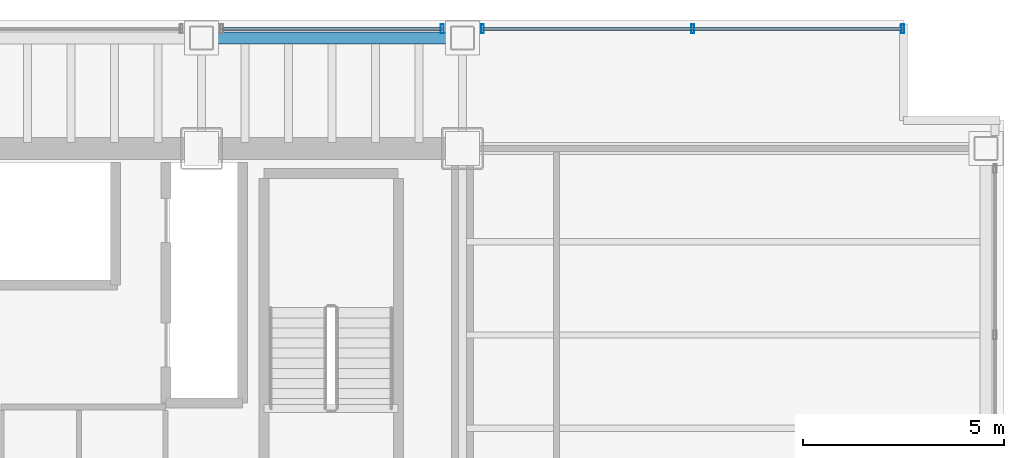
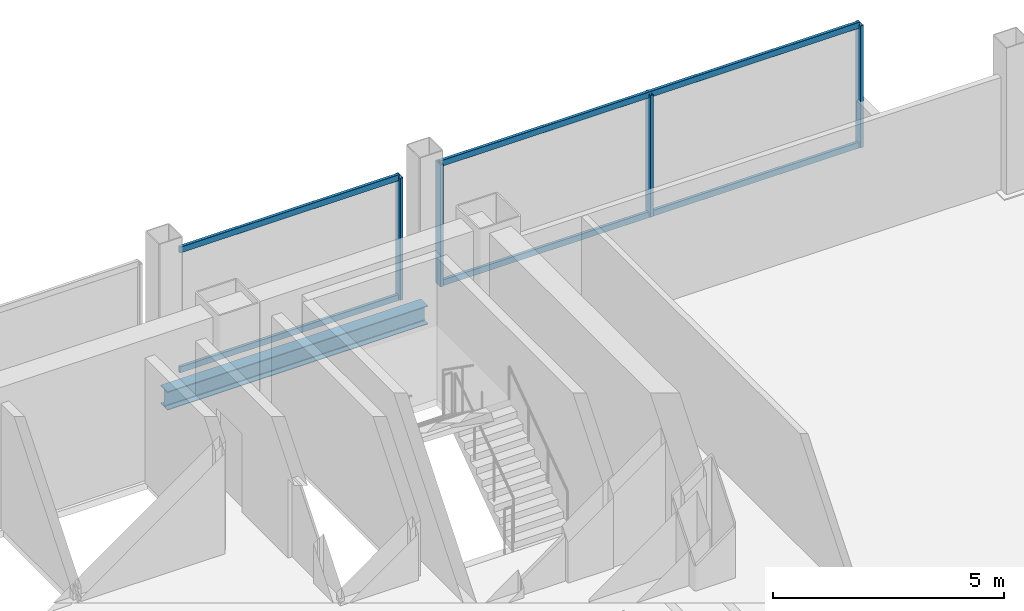
# One storey, part 16 of 22: 8 members, 1 beam, 2 elements without a shape of their own.
"""IFC4 building model written with IfcOpenShell, lengths in metres."""

import ifcopenshell
import ifcopenshell.guid

model = None  # the IFC model being written
_history = None  # IfcOwnerHistory: only IFC2X3 demands one
_inside = {}  # id of a spatial element -> (the spatial element, [elements in it])
_under = {}  # id of a project, library or spatial element -> (it, [spatial elements below it])
_declared = {}  # id of a project -> (the project, [libraries it declares])
_typed = {}  # id of a type object -> (the type object, [elements of that type])
_made_of = {}  # id of a material, layer set ... -> (it, [elements and type objects made of it])


def new_model(schema):
    """Start an empty IFC model of exactly this schema.

    Asked for "IFC4X3", IfcOpenShell would pick the latest addendum, in which some entities
    have other attributes; the version numbers below select the first issue.
    IFC2X3 requires an IfcOwnerHistory on every rooted entity: one is made here for all.
    """
    global model, _history
    if schema == "IFC4X3":
        model = ifcopenshell.file(schema_version=(4, 3, 0, 0))
    else:
        model = ifcopenshell.file(schema=schema)
    _inside.clear()
    _under.clear()
    _declared.clear()
    _typed.clear()
    _made_of.clear()
    _history = None
    if model.schema == "IFC2X3":
        org = make("IfcOrganization", Name="unknown")
        user = make(
            "IfcPersonAndOrganization",
            ThePerson=make("IfcPerson", FamilyName="unknown"),
            TheOrganization=org,
        )
        app = make(
            "IfcApplication",
            ApplicationDeveloper=org,
            Version="unknown",
            ApplicationFullName="unknown",
            ApplicationIdentifier="unknown",
        )
        _history = make(
            "IfcOwnerHistory",
            OwningUser=user,
            OwningApplication=app,
            ChangeAction="ADDED",
            CreationDate=0,
        )
    return model


def make(cls, **values):
    """One entity of the class cls with the attributes given. An attribute that is None is left unset."""
    return model.create_entity(
        cls, **{name: value for name, value in values.items() if value is not None}
    )


def rooted(cls, **values):
    """An entity with a GlobalId (a new one), such as an element, a storey or a relation."""
    return make(cls, GlobalId=ifcopenshell.guid.new(), OwnerHistory=_history, **values)


def si_unit(unit_type, name, prefix=None):
    """IfcSIUnit, for example si_unit("LENGTHUNIT", "METRE", prefix="MILLI")."""
    return make("IfcSIUnit", UnitType=unit_type, Prefix=prefix, Name=name)


def assignment(units):
    """IfcUnitAssignment: the units of a project."""
    return None if units is None else make("IfcUnitAssignment", Units=units)


def point(xyz):
    """IfcCartesianPoint."""
    return None if xyz is None else make("IfcCartesianPoint", Coordinates=xyz)


def direction(xyz):
    """IfcDirection."""
    return None if xyz is None else make("IfcDirection", DirectionRatios=xyz)


def frame(location, z_axis=None, x_axis=None):
    """IfcAxis2Placement3D, a coordinate frame: its origin and axes. An axis left out is left unset."""
    return make(
        "IfcAxis2Placement3D",
        Location=point(location),
        Axis=direction(z_axis),
        RefDirection=direction(x_axis),
    )


def frame_2d(location, x_axis=None):
    """IfcAxis2Placement2D, a coordinate frame in the plane: its origin and x axis."""
    return make(
        "IfcAxis2Placement2D", Location=point(location), RefDirection=direction(x_axis)
    )


def origin():
    """The frame at (0, 0, 0) with its axes left unset."""
    return frame((0.0, 0.0, 0.0))


def origin_2d():
    """The frame at (0, 0) in the plane with its x axis left unset."""
    return frame_2d((0.0, 0.0))


def place(relative_to, where):
    """IfcLocalPlacement: puts the frame where relative to a parent placement (None: the world)."""
    return make(
        "IfcLocalPlacement", PlacementRelTo=relative_to, RelativePlacement=where
    )


def context(
    kind, dimensions, precision=None, world=None, true_north=None, identifier=None
):
    """IfcGeometricRepresentationContext, for example the 3D "Model" context."""
    return make(
        "IfcGeometricRepresentationContext",
        ContextIdentifier=identifier,
        ContextType=kind,
        CoordinateSpaceDimension=dimensions,
        Precision=precision,
        WorldCoordinateSystem=world,
        TrueNorth=true_north,
    )


def subcontext(parent, identifier, kind, view, scale=None):
    """IfcGeometricRepresentationSubContext, for example "Body" below "Model"."""
    return make(
        "IfcGeometricRepresentationSubContext",
        ContextIdentifier=identifier,
        ContextType=kind,
        ParentContext=parent,
        TargetScale=scale,
        TargetView=view,
    )


def project(units=None, contexts=None):
    """IfcProject with its units and contexts."""
    return rooted(
        "IfcProject",
        Name="project",
        RepresentationContexts=contexts,
        UnitsInContext=assignment(units),
    )


def spatial(cls, under=None, at=None, **own):
    """A site, building, storey or space (cls), placed at a placement, below another one or the project."""
    s = rooted(cls, ObjectPlacement=at, **own)
    if under is not None:
        _under.setdefault(under.id(), (under, []))[1].append(s)
    return s


def profile(cls, at=None, kind="AREA", **sizes):
    """A parametric profile (cls). Its sizes go by their IFC names, for example OverallWidth=200.0."""
    return make(cls, ProfileType=kind, Position=at, **sizes)


def hollow_rectangle(**sizes):
    """IfcRectangleHollowProfileDef."""
    return profile("IfcRectangleHollowProfileDef", **sizes)


def i_section(**sizes):
    """IfcIShapeProfileDef."""
    return profile("IfcIShapeProfileDef", **sizes)


def extrude(swept, where, along, depth):
    """IfcExtrudedAreaSolid: the profile swept, set in the frame where, extruded along a direction by depth."""
    return make(
        "IfcExtrudedAreaSolid",
        SweptArea=swept,
        Position=where,
        ExtrudedDirection=direction(along),
        Depth=depth,
    )


def shape(context_of_items, identifier, shape_type, items):
    """IfcShapeRepresentation: the items that make up one representation, for example the "Body"."""
    return make(
        "IfcShapeRepresentation",
        ContextOfItems=context_of_items,
        RepresentationIdentifier=identifier,
        RepresentationType=shape_type,
        Items=items,
    )


def material(Name=None, Category=None):
    """IfcMaterial."""
    return make("IfcMaterial", Name=Name, Category=Category)


def material_profile(
    of_material, cross_section, Name=None, Category=None, Priority=None
):
    """IfcMaterialProfile: a cross section and its material."""
    return make(
        "IfcMaterialProfile",
        Name=Name,
        Material=of_material,
        Profile=cross_section,
        Priority=Priority,
        Category=Category,
    )


def profile_set(profiles, Name=None, composite=None):
    """IfcMaterialProfileSet."""
    return make(
        "IfcMaterialProfileSet",
        Name=Name,
        MaterialProfiles=profiles,
        CompositeProfile=composite,
    )


def made_of(thing, what):
    """Note that an element or type object is made of a material, layer set ...; save() writes the relation."""
    if what is not None:
        _made_of.setdefault(what.id(), (what, []))[1].append(thing)
    return thing


def type_object(cls, material=None, **own):
    """A type object (cls), such as IfcWallType, which elements share."""
    return made_of(rooted(cls, **own), material)


def element(
    cls,
    number,
    at=None,
    inside=None,
    cuts=None,
    type_object=None,
    material=None,
    context=None,
    identifier="Body",
    shape_type=None,
    held_by="IfcProductDefinitionShape",
    body=None,
    shapes=None,
    **own,
):
    """One element of the class cls, such as IfcWall. Its Tag is "e" and its number.

    at: its placement. inside: the storey or other place that contains it. cuts: it is an
    opening in that element (IfcRelVoidsElement). A single representation is given by context,
    identifier, shape_type and body (its items); several are given by shapes. held_by: the class
    of the entity that holds the representations. save() writes the other relations.
    """
    e = rooted(cls, Tag="e%d" % number, ObjectPlacement=at, **own)
    if body is not None:
        shapes = [shape(context, identifier, shape_type, body)]
    if shapes is not None:
        e.Representation = make(held_by, Representations=shapes)
    if inside is not None:
        _inside.setdefault(inside.id(), (inside, []))[1].append(e)
    if cuts is not None:
        rooted(
            "IfcRelVoidsElement", RelatingBuildingElement=cuts, RelatedOpeningElement=e
        )
    if type_object is not None:
        _typed.setdefault(type_object.id(), (type_object, []))[1].append(e)
    return made_of(e, material)


def aggregate(whole, parts):
    """IfcRelAggregates: a whole, such as a stair, and the parts it consists of."""
    return rooted("IfcRelAggregates", RelatingObject=whole, RelatedObjects=parts)


def save(model, path):
    """Write the relations noted so far, then the file.

    IfcRelAggregates (storeys below a building ...), IfcRelContainedInSpatialStructure (elements
    in a storey), IfcRelDefinesByType, IfcRelAssociatesMaterial and IfcRelDeclares: one each for
    every whole, place, type object, material and project.
    """
    for whole, parts in _under.values():
        aggregate(whole, parts)
    for where, things in _inside.values():
        rooted(
            "IfcRelContainedInSpatialStructure",
            RelatedElements=things,
            RelatingStructure=where,
        )
    for kind, things in _typed.values():
        rooted("IfcRelDefinesByType", RelatedObjects=things, RelatingType=kind)
    for what, things in _made_of.values():
        rooted("IfcRelAssociatesMaterial", RelatedObjects=things, RelatingMaterial=what)
    for by, libraries in _declared.values():
        rooted("IfcRelDeclares", RelatingContext=by, RelatedDefinitions=libraries)
    model.write(path)


model = new_model("IFC4")

# Units and contexts
model_context = context("Model", 3, precision=1e-05, world=origin(), true_north=direction((0.0, 1.0)))
body_context = subcontext(model_context, "Body", "Model", "MODEL_VIEW")
ifc_project = project(units=[si_unit("LENGTHUNIT", "METRE"), si_unit("AREAUNIT", "SQUARE_METRE"), si_unit("VOLUMEUNIT", "CUBIC_METRE"), si_unit("PLANEANGLEUNIT", "RADIAN"), si_unit("MASSUNIT", "GRAM", prefix="KILO")], contexts=[model_context])

# Site, building, storey
site_placement = place(None, origin())
site = spatial("IfcSite", under=ifc_project, at=site_placement, CompositionType="ELEMENT")
building_placement = place(site_placement, origin())
building = spatial("IfcBuilding", under=site, at=building_placement, Name="Noeulbin Bourse Tower", CompositionType="ELEMENT")
storey_placement = place(building_placement, frame((0.0, 0.0, 85.0)))
storey = spatial("IfcBuildingStorey", under=building, at=storey_placement, Name="L21", CompositionType="ELEMENT", Elevation=85.0)

# Beam
ifc_material_1 = material(Name="Steel S355", Category="steel")
ifc_material_profile_1 = material_profile(ifc_material_1, i_section(OverallWidth=0.300048828125, OverallDepth=0.488037109375, WebThickness=0.010986328125, FlangeThickness=0.01806640625, FilletRadius=0.02197265625, at=origin_2d()), Name="H-488x300x11x18", Category="LoadBearing")
ifc_profile_set_1 = profile_set([ifc_material_profile_1], Name="Steel S355")
beam_type = type_object("IfcBeamType", Name="BM-SPN-488", PredefinedType="SPANDREL", material=ifc_profile_set_1)
beam_placement = place(storey_placement, frame((37.5, 41.050048828125, -0.424072265625), z_axis=(1.0, 0.0, 0.0), x_axis=(0.0, 1.0, 0.0)))
element("IfcBeam", 1, at=beam_placement, inside=storey, type_object=beam_type, Name="North Spandrel L21-4", PredefinedType="SPANDREL", context=body_context, shape_type="SweptSolid", body=[
    extrude(i_section(OverallWidth=0.300048828125, OverallDepth=0.488037109375, WebThickness=0.010986328125, FlangeThickness=0.01806640625, FilletRadius=0.02197265625, at=origin_2d()), origin(), (0.0, 0.0, 1.0), 6.5),
])

# Curtain wall, member
ifc_material_2 = material(Name="Dark Solar-Control Double Glazing", Category="glass")
curtain_wall_type = type_object("IfcCurtainWallType", Name="CW-SYS-2", PredefinedType="NOTDEFINED", material=ifc_material_2)
curtain_wall_1_placement = place(storey_placement, origin())
curtain_wall_1 = element("IfcCurtainWall", 2, at=curtain_wall_1_placement, inside=storey, type_object=curtain_wall_type, Name="Unitised Curtain Wall CW-L21-N-S5", PredefinedType="NOTDEFINED")
ifc_material_3 = material(Name="Anodised Aluminium 6063-T6", Category="aluminium")
ifc_material_profile_2 = material_profile(ifc_material_3, hollow_rectangle(XDim=0.074951171875, YDim=0.219970703125, WallThickness=0.0048828125, InnerFilletRadius=0.00244140625, OuterFilletRadius=0.0048828125, at=origin_2d()), Name="ALU-MULL-75x220x5", Category="LoadBearing")
ifc_profile_set_2 = profile_set([ifc_material_profile_2], Name="Anodised Aluminium 6063-T6")
member_type_1 = type_object("IfcMemberType", Name="CW-SYS-2-MUL", PredefinedType="MULLION", material=ifc_profile_set_2)
member_1_placement = place(storey_placement, frame((43.5, 41.280029296875, -0.02001953125), z_axis=(0.0, 0.0, 1.0), x_axis=(1.0, 0.0, 0.0)))
member_1 = element("IfcMember", 3, at=member_1_placement, type_object=member_type_1, Name="Curtain Wall Mullion CW-L21-N-S5-M01", PredefinedType="MULLION", context=body_context, shape_type="SweptSolid", body=[
    extrude(hollow_rectangle(XDim=0.074951171875, YDim=0.219970703125, WallThickness=0.0048828125, InnerFilletRadius=0.00244140625, OuterFilletRadius=0.0048828125, at=origin_2d()), origin(), (0.0, 0.0, 1.0), 3.219970703125),
])

# Curtain wall, members
curtain_wall_2_placement = place(storey_placement, origin())
curtain_wall_2 = element("IfcCurtainWall", 4, at=curtain_wall_2_placement, inside=storey, type_object=curtain_wall_type, Name="Unitised Curtain Wall CW-L21-N-S6", PredefinedType="NOTDEFINED")
member_2_placement = place(storey_placement, frame((44.5, 41.280029296875, -0.02001953125), z_axis=(0.0, 0.0, 1.0), x_axis=(1.0, 0.0, 0.0)))
member_2 = element("IfcMember", 5, at=member_2_placement, type_object=member_type_1, Name="Curtain Wall Mullion CW-L21-N-S6-M00", PredefinedType="MULLION", context=body_context, shape_type="SweptSolid", body=[
    extrude(hollow_rectangle(XDim=0.074951171875, YDim=0.219970703125, WallThickness=0.0048828125, InnerFilletRadius=0.00244140625, OuterFilletRadius=0.0048828125, at=origin_2d()), origin(), (0.0, 0.0, 1.0), 3.219970703125),
])
member_3_placement = place(storey_placement, frame((49.739990234375, 41.280029296875, -0.02001953125), z_axis=(0.0, 0.0, 1.0), x_axis=(1.0, 0.0, 0.0)))
member_3 = element("IfcMember", 6, at=member_3_placement, type_object=member_type_1, Name="Curtain Wall Mullion CW-L21-N-S6-M01", PredefinedType="MULLION", context=body_context, shape_type="SweptSolid", body=[
    extrude(hollow_rectangle(XDim=0.074951171875, YDim=0.219970703125, WallThickness=0.0048828125, InnerFilletRadius=0.00244140625, OuterFilletRadius=0.0048828125, at=origin_2d()), origin(), (0.0, 0.0, 1.0), 3.219970703125),
])
member_4_placement = place(storey_placement, frame((54.97998046875, 41.280029296875, -0.02001953125), z_axis=(0.0, 0.0, 1.0), x_axis=(1.0, 0.0, 0.0)))
member_4 = element("IfcMember", 7, at=member_4_placement, type_object=member_type_1, Name="Curtain Wall Mullion CW-L21-N-S6-M02", PredefinedType="MULLION", context=body_context, shape_type="SweptSolid", body=[
    extrude(hollow_rectangle(XDim=0.074951171875, YDim=0.219970703125, WallThickness=0.0048828125, InnerFilletRadius=0.00244140625, OuterFilletRadius=0.0048828125, at=origin_2d()), origin(), (0.0, 0.0, 1.0), 3.219970703125),
])

# Member
ifc_material_profile_3 = material_profile(ifc_material_3, hollow_rectangle(XDim=0.074951171875, YDim=0.159912109375, WallThickness=0.0048828125, InnerFilletRadius=0.00244140625, OuterFilletRadius=0.0048828125, at=origin_2d()), Name="ALU-TRAN-75x160x5", Category="LoadBearing")
ifc_profile_set_3 = profile_set([ifc_material_profile_3], Name="Anodised Aluminium 6063-T6")
member_type_2 = type_object("IfcMemberType", Name="CW-SYS-2-TRN", PredefinedType="USERDEFINED", material=ifc_profile_set_3)
member_5_placement = place(storey_placement, frame((38.010009765625, 41.280029296875, 0.010009765625), z_axis=(1.0, 0.0, 0.0), x_axis=(0.0, 1.0, 0.0)))
member_5 = element("IfcMember", 8, at=member_5_placement, type_object=member_type_2, Name="Curtain Wall Transom CW-L21-N-S5-T00", ObjectType="TRANSOM", PredefinedType="USERDEFINED", context=body_context, shape_type="SweptSolid", body=[
    extrude(hollow_rectangle(XDim=0.074951171875, YDim=0.159912109375, WallThickness=0.0048828125, InnerFilletRadius=0.00244140625, OuterFilletRadius=0.0048828125, at=origin_2d()), origin(), (0.0, 0.0, 1.0), 5.47998046875),
])

member_6_placement = place(storey_placement, frame((38.010009765625, 41.280029296875, 3.169921875), z_axis=(1.0, 0.0, 0.0), x_axis=(0.0, 1.0, 0.0)))
member_6 = element("IfcMember", 9, at=member_6_placement, type_object=member_type_2, Name="Curtain Wall Transom CW-L21-N-S5-T01", ObjectType="TRANSOM", PredefinedType="USERDEFINED", context=body_context, shape_type="SweptSolid", body=[
    extrude(hollow_rectangle(XDim=0.074951171875, YDim=0.159912109375, WallThickness=0.0048828125, InnerFilletRadius=0.00244140625, OuterFilletRadius=0.0048828125, at=origin_2d()), origin(), (0.0, 0.0, 1.0), 5.47998046875),
])

aggregate(curtain_wall_1, [member_1, member_5, member_6])

member_7_placement = place(storey_placement, frame((44.510009765625, 41.280029296875, 0.010009765625), z_axis=(1.0, 0.0, 0.0), x_axis=(0.0, 1.0, 0.0)))
member_7 = element("IfcMember", 10, at=member_7_placement, type_object=member_type_2, Name="Curtain Wall Transom CW-L21-N-S6-T00", ObjectType="TRANSOM", PredefinedType="USERDEFINED", context=body_context, shape_type="SweptSolid", body=[
    extrude(hollow_rectangle(XDim=0.074951171875, YDim=0.159912109375, WallThickness=0.0048828125, InnerFilletRadius=0.00244140625, OuterFilletRadius=0.0048828125, at=origin_2d()), origin(), (0.0, 0.0, 1.0), 10.4599609375),
])

member_8_placement = place(storey_placement, frame((44.510009765625, 41.280029296875, 3.169921875), z_axis=(1.0, 0.0, 0.0), x_axis=(0.0, 1.0, 0.0)))
member_8 = element("IfcMember", 11, at=member_8_placement, type_object=member_type_2, Name="Curtain Wall Transom CW-L21-N-S6-T01", ObjectType="TRANSOM", PredefinedType="USERDEFINED", context=body_context, shape_type="SweptSolid", body=[
    extrude(hollow_rectangle(XDim=0.074951171875, YDim=0.159912109375, WallThickness=0.0048828125, InnerFilletRadius=0.00244140625, OuterFilletRadius=0.0048828125, at=origin_2d()), origin(), (0.0, 0.0, 1.0), 10.4599609375),
])

aggregate(curtain_wall_2, [member_2, member_3, member_4, member_7, member_8])

save(model, "model.ifc")
